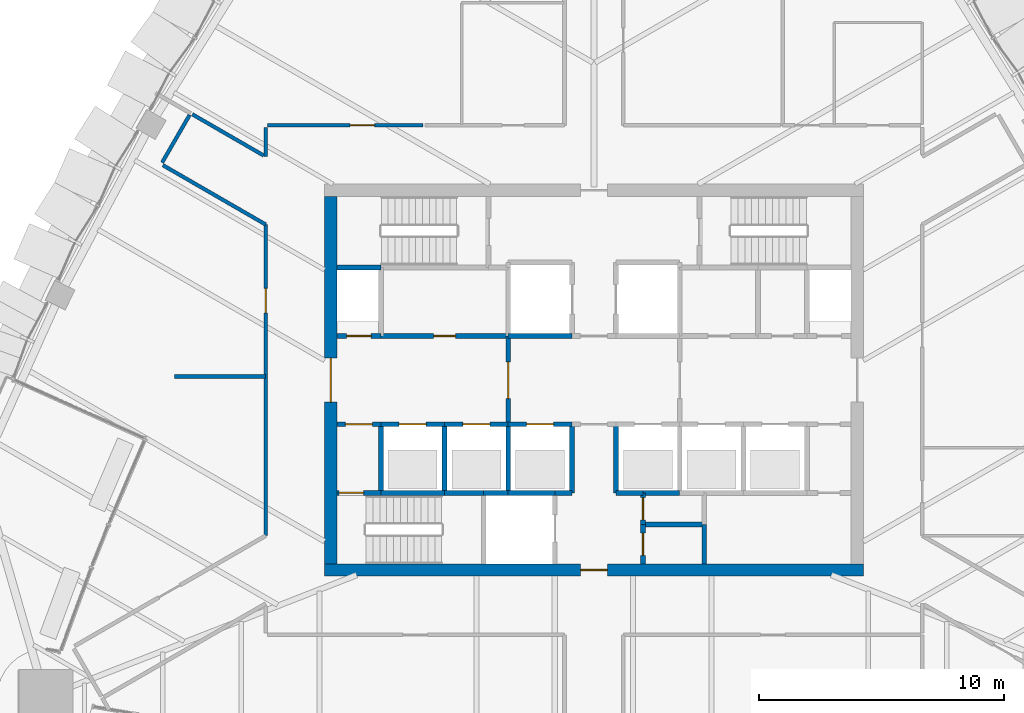
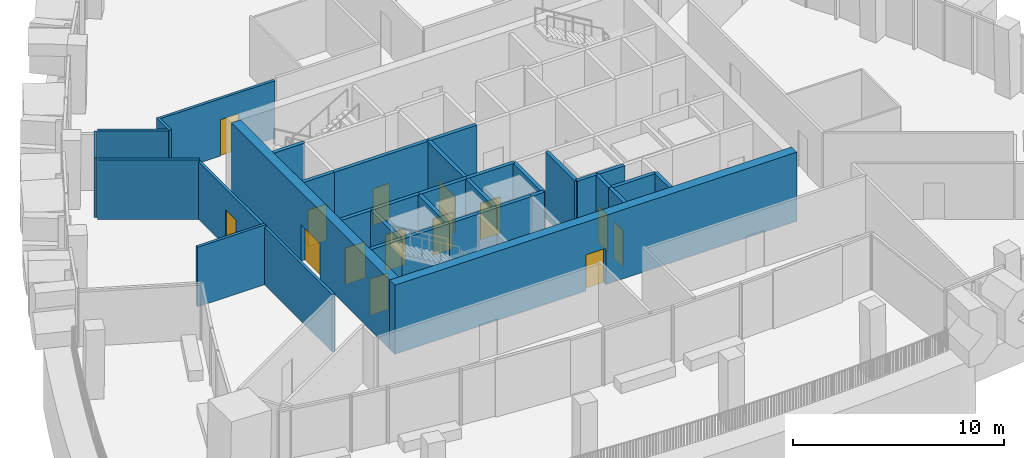
# One storey, part 12 of 22: 35 walls, 14 doors, 14 openings.
"""IFC4 building model written with IfcOpenShell, lengths in metres."""

from ifc_helpers import new_model, si_unit, direction, frame, frame_2d, origin, place, context, subcontext, project, spatial, rectangle, extrude, material, layer, layer_set, type_object, element, fill, save


model = new_model("IFC4")

# Units and contexts
model_context = context("Model", 3, precision=1e-05, world=origin(), true_north=direction((0.0, 1.0)))
body_context = subcontext(model_context, "Body", "Model", "MODEL_VIEW")
ifc_project = project(units=[si_unit("LENGTHUNIT", "METRE"), si_unit("AREAUNIT", "SQUARE_METRE"), si_unit("VOLUMEUNIT", "CUBIC_METRE"), si_unit("PLANEANGLEUNIT", "RADIAN"), si_unit("MASSUNIT", "GRAM", prefix="KILO")], contexts=[model_context])

# Site, building, storey
site_placement = place(None, origin())
site = spatial("IfcSite", under=ifc_project, at=site_placement, CompositionType="ELEMENT")
building_placement = place(site_placement, origin())
building = spatial("IfcBuilding", under=site, at=building_placement, Name="Sierra Prisma Convention Tower", CompositionType="ELEMENT")
storey_placement = place(building_placement, frame((0.0, 0.0, 227.0)))
storey = spatial("IfcBuildingStorey", under=building, at=storey_placement, Name="L50", CompositionType="ELEMENT", Elevation=227.0)

# Wall, opening, door
ifc_material_1 = material(Name="Concrete C30/37", Category="concrete")
ifc_layer_1 = layer(ifc_material_1, 0.199951171875)
ifc_layer_set_1 = layer_set([ifc_layer_1], Name="Core wall RC 200 C30/37")
wall_type_1 = type_object("IfcWallType", Name="Core wall RC 200 C30/37", PredefinedType="SOLIDWALL", material=ifc_layer_set_1)
wall_1_placement = place(storey_placement, frame((-10.5, -4.60009765625, 0.0), z_axis=(0.0, 0.0, 1.0), x_axis=(1.0, 0.0, 0.0)))
wall_1 = element("IfcWall", 1, at=wall_1_placement, inside=storey, type_object=wall_type_1, Name="Core wall L50 1", PredefinedType="SOLIDWALL", context=body_context, shape_type="SweptSolid", body=[
    extrude(rectangle(XDim=1.800048828125, YDim=0.199951171875, at=frame_2d((0.89990234375, 0.0))), origin(), (0.0, 0.0, 1.0), 3.85009765625),
])
opening_1_placement = place(wall_1_placement, frame((0.10009765625, 0.0, 0.0)))
opening_1 = element("IfcOpeningElement", 2, at=opening_1_placement, cuts=wall_1, Name="Opening L50-D019", PredefinedType="OPENING", context=body_context, shape_type="SweptSolid", body=[
    extrude(rectangle(XDim=1.0, YDim=2.10009765625, at=frame_2d((0.5, 1.050048828125))), frame((0.0, 0.10009765625, 0.0), z_axis=(0.0, -1.0, 0.0), x_axis=(1.0, 0.0, 0.0)), (0.0, 0.0, 1.0), 0.199951171875),
])
ifc_material_2 = material(Name="Steel fire door leaf", Category="steel")
door_type_1 = type_object("IfcDoorType", Name="Door 1000x2100 FD90S", OperationType="SINGLE_SWING_LEFT", PredefinedType="DOOR", material=ifc_material_2)
door_1_placement = place(opening_1_placement, origin())
door_1 = element("IfcDoor", 3, at=door_1_placement, inside=storey, type_object=door_type_1, Name="Door L50 31", OperationType="SINGLE_SWING_LEFT", OverallHeight=2.10009765625, OverallWidth=1.0, PredefinedType="DOOR", context=body_context, shape_type="SweptSolid", body=[
    extrude(rectangle(XDim=1.0, YDim=2.10009765625, at=frame_2d((0.5, 1.050048828125))), frame((0.0, 0.02490234375, 0.0), z_axis=(0.0, -1.0, 0.0), x_axis=(1.0, 0.0, 0.0)), (0.0, 0.0, 1.0), 0.050048828125),
])
fill(opening_1, door_1)

wall_2_placement = place(storey_placement, frame((-10.5, -1.800048828125, 0.0), z_axis=(0.0, 0.0, 1.0), x_axis=(1.0, 0.0, 0.0)))
wall_2 = element("IfcWall", 4, at=wall_2_placement, inside=storey, type_object=wall_type_1, Name="Core wall L50 2", PredefinedType="SOLIDWALL", context=body_context, shape_type="SweptSolid", body=[
    extrude(rectangle(XDim=1.800048828125, YDim=0.199951171875, at=frame_2d((0.89990234375, 0.0))), origin(), (0.0, 0.0, 1.0), 3.85009765625),
])
opening_2_placement = place(wall_2_placement, frame((0.35009765625, 0.0, 0.0)))
opening_2 = element("IfcOpeningElement", 5, at=opening_2_placement, cuts=wall_2, Name="Opening L50-D014", PredefinedType="OPENING", context=body_context, shape_type="SweptSolid", body=[
    extrude(rectangle(XDim=1.10009765625, YDim=2.10009765625, at=frame_2d((0.550048828125, 1.050048828125))), frame((0.0, 0.10009765625, 0.0), z_axis=(0.0, -1.0, 0.0), x_axis=(1.0, 0.0, 0.0)), (0.0, 0.0, 1.0), 0.199951171875),
])
ifc_material_3 = material(Name="Steel fire door leaf", Category="steel")
door_type_2 = type_object("IfcDoorType", Name="Door 1100x2100 FD90S", OperationType="SINGLE_SWING_LEFT", PredefinedType="DOOR", material=ifc_material_3)
door_2_placement = place(opening_2_placement, origin())
door_2 = element("IfcDoor", 6, at=door_2_placement, inside=storey, type_object=door_type_2, Name="Door L50 26", OperationType="SINGLE_SWING_LEFT", OverallHeight=2.10009765625, OverallWidth=1.10009765625, PredefinedType="DOOR", context=body_context, shape_type="SweptSolid", body=[
    extrude(rectangle(XDim=1.10009765625, YDim=2.10009765625, at=frame_2d((0.550048828125, 1.050048828125))), frame((0.0, 0.02490234375, 0.0), z_axis=(0.0, -1.0, 0.0), x_axis=(1.0, 0.0, 0.0)), (0.0, 0.0, 1.0), 0.050048828125),
])
fill(opening_2, door_2)

wall_3_placement = place(storey_placement, frame((-8.699951171875, 1.800048828125, 0.0), z_axis=(0.0, 0.0, 1.0), x_axis=(-1.0, 0.0, 0.0)))
wall_3 = element("IfcWall", 7, at=wall_3_placement, inside=storey, type_object=wall_type_1, Name="Core wall L50 3", PredefinedType="SOLIDWALL", context=body_context, shape_type="SweptSolid", body=[
    extrude(rectangle(XDim=1.800048828125, YDim=0.199951171875, at=frame_2d((0.89990234375, 0.0))), origin(), (0.0, 0.0, 1.0), 3.85009765625),
])
opening_3_placement = place(wall_3_placement, frame((0.39990234375, 0.0, 0.0)))
opening_3 = element("IfcOpeningElement", 8, at=opening_3_placement, cuts=wall_3, Name="Opening L50-D017", PredefinedType="OPENING", context=body_context, shape_type="SweptSolid", body=[
    extrude(rectangle(XDim=1.0, YDim=2.10009765625, at=frame_2d((0.5, 1.050048828125))), frame((0.0, 0.10009765625, 0.0), z_axis=(0.0, -1.0, 0.0), x_axis=(1.0, 0.0, 0.0)), (0.0, 0.0, 1.0), 0.199951171875),
])
ifc_material_4 = material(Name="Steel fire door leaf", Category="steel")
door_type_3 = type_object("IfcDoorType", Name="Door 1000x2100 FD60S", OperationType="SINGLE_SWING_LEFT", PredefinedType="DOOR", material=ifc_material_4)
door_3_placement = place(opening_3_placement, origin())
door_3 = element("IfcDoor", 9, at=door_3_placement, inside=storey, type_object=door_type_3, Name="Door L50 29", OperationType="SINGLE_SWING_RIGHT", OverallHeight=2.10009765625, OverallWidth=1.0, PredefinedType="DOOR", context=body_context, shape_type="SweptSolid", body=[
    extrude(rectangle(XDim=1.0, YDim=2.10009765625, at=frame_2d((0.5, 1.050048828125))), frame((0.0, 0.02490234375, 0.0), z_axis=(0.0, -1.0, 0.0), x_axis=(1.0, 0.0, 0.0)), (0.0, 0.0, 1.0), 0.050048828125),
])
fill(opening_3, door_3)

# Walls
wall_4_placement = place(storey_placement, frame((-8.699951171875, 4.60009765625, 0.0), z_axis=(0.0, 0.0, 1.0), x_axis=(-1.0, 0.0, 0.0)))
element("IfcWall", 10, at=wall_4_placement, inside=storey, type_object=wall_type_1, Name="Core wall L50 4", PredefinedType="SOLIDWALL", context=body_context, shape_type="SweptSolid", body=[
    extrude(rectangle(XDim=1.800048828125, YDim=0.199951171875, at=frame_2d((0.89990234375, 0.0))), origin(), (0.0, 0.0, 1.0), 3.85009765625),
])
wall_5_placement = place(storey_placement, frame((-8.699951171875, -4.60009765625, 0.0), z_axis=(0.0, 0.0, 1.0), x_axis=(1.0, 0.0, 0.0)))
element("IfcWall", 11, at=wall_5_placement, inside=storey, type_object=wall_type_1, Name="Core wall L50 5", PredefinedType="SOLIDWALL", context=body_context, shape_type="SweptSolid", body=[
    extrude(rectangle(XDim=2.599853515625, YDim=0.199951171875, at=frame_2d((1.2998046875, 0.0))), origin(), (0.0, 0.0, 1.0), 3.85009765625),
])
wall_6_placement = place(storey_placement, frame((-8.699951171875, -4.60009765625, 0.0), z_axis=(0.0, 0.0, 1.0), x_axis=(0.0, 1.0, 0.0)))
element("IfcWall", 12, at=wall_6_placement, inside=storey, type_object=wall_type_1, Name="Core wall L50 6", PredefinedType="SOLIDWALL", context=body_context, shape_type="SweptSolid", body=[
    extrude(rectangle(XDim=2.800048828125, YDim=0.199951171875, at=frame_2d((1.39990234375, 0.0))), origin(), (0.0, 0.0, 1.0), 3.85009765625),
])

# Wall, opening, door
wall_7_placement = place(storey_placement, frame((-8.699951171875, -1.800048828125, 0.0), z_axis=(0.0, 0.0, 1.0), x_axis=(1.0, 0.0, 0.0)))
wall_7 = element("IfcWall", 13, at=wall_7_placement, inside=storey, type_object=wall_type_1, Name="Core wall L50 7", PredefinedType="SOLIDWALL", context=body_context, shape_type="SweptSolid", body=[
    extrude(rectangle(XDim=2.599853515625, YDim=0.199951171875, at=frame_2d((1.2998046875, 0.0))), origin(), (0.0, 0.0, 1.0), 3.85009765625),
])
opening_4_placement = place(wall_7_placement, frame((0.75, 0.0, 0.0)))
opening_4 = element("IfcOpeningElement", 14, at=opening_4_placement, cuts=wall_7, Name="Opening L50-D003", PredefinedType="OPENING", context=body_context, shape_type="SweptSolid", body=[
    extrude(rectangle(XDim=1.10009765625, YDim=2.10009765625, at=frame_2d((0.550048828125, 1.050048828125))), frame((0.0, 0.10009765625, 0.0), z_axis=(0.0, -1.0, 0.0), x_axis=(1.0, 0.0, 0.0)), (0.0, 0.0, 1.0), 0.199951171875),
])
ifc_material_5 = material(Name="Steel fire door leaf", Category="steel")
door_type_4 = type_object("IfcDoorType", Name="Door 1100x2100 EI 90 sliding lift landing", OperationType="SLIDING_TO_LEFT", PredefinedType="DOOR", material=ifc_material_5)
door_4_placement = place(opening_4_placement, origin())
door_4 = element("IfcDoor", 15, at=door_4_placement, inside=storey, type_object=door_type_4, Name="Door L50 15", OperationType="SLIDING_TO_LEFT", OverallHeight=2.10009765625, OverallWidth=1.10009765625, PredefinedType="DOOR", context=body_context, shape_type="SweptSolid", body=[
    extrude(rectangle(XDim=1.10009765625, YDim=2.10009765625, at=frame_2d((0.550048828125, 1.050048828125))), frame((0.0, 0.02490234375, 0.0), z_axis=(0.0, -1.0, 0.0), x_axis=(1.0, 0.0, 0.0)), (0.0, 0.0, 1.0), 0.050048828125),
])
fill(opening_4, door_4)

wall_8_placement = place(storey_placement, frame((-8.699951171875, 1.800048828125, 0.0), z_axis=(0.0, 0.0, 1.0), x_axis=(1.0, 0.0, 0.0)))
wall_8 = element("IfcWall", 16, at=wall_8_placement, inside=storey, type_object=wall_type_1, Name="Core wall L50 8", PredefinedType="SOLIDWALL", context=body_context, shape_type="SweptSolid", body=[
    extrude(rectangle(XDim=5.199951171875, YDim=0.199951171875, at=frame_2d((2.60009765625, 0.0))), origin(), (0.0, 0.0, 1.0), 3.85009765625),
])
opening_5_placement = place(wall_8_placement, frame((2.14990234375, 0.0, 0.0)))
opening_5 = element("IfcOpeningElement", 17, at=opening_5_placement, cuts=wall_8, Name="Opening L50-D024", PredefinedType="OPENING", context=body_context, shape_type="SweptSolid", body=[
    extrude(rectangle(XDim=0.89990234375, YDim=2.10009765625, at=frame_2d((0.449951171875, 1.050048828125))), frame((0.0, 0.10009765625, 0.0), z_axis=(0.0, -1.0, 0.0), x_axis=(1.0, 0.0, 0.0)), (0.0, 0.0, 1.0), 0.199951171875),
])
ifc_material_6 = material(Name="Steel fire door leaf", Category="steel")
door_type_5 = type_object("IfcDoorType", Name="Door 900x2100 FD30S", OperationType="SINGLE_SWING_LEFT", PredefinedType="DOOR", material=ifc_material_6)
door_5_placement = place(opening_5_placement, origin())
door_5 = element("IfcDoor", 18, at=door_5_placement, inside=storey, type_object=door_type_5, Name="Door L50 36", OperationType="SINGLE_SWING_LEFT", OverallHeight=2.10009765625, OverallWidth=0.89990234375, PredefinedType="DOOR", context=body_context, shape_type="SweptSolid", body=[
    extrude(rectangle(XDim=0.89990234375, YDim=2.10009765625, at=frame_2d((0.449951171875, 1.050048828125))), frame((0.0, 0.02490234375, 0.0), z_axis=(0.0, -1.0, 0.0), x_axis=(1.0, 0.0, 0.0)), (0.0, 0.0, 1.0), 0.050048828125),
])
fill(opening_5, door_5)

# Walls
wall_9_placement = place(storey_placement, frame((-6.10009765625, -4.60009765625, 0.0), z_axis=(0.0, 0.0, 1.0), x_axis=(1.0, 0.0, 0.0)))
element("IfcWall", 19, at=wall_9_placement, inside=storey, type_object=wall_type_1, Name="Core wall L50 11", PredefinedType="SOLIDWALL", context=body_context, shape_type="SweptSolid", body=[
    extrude(rectangle(XDim=1.60009765625, YDim=0.199951171875, at=frame_2d((0.800048828125, 0.0))), origin(), (0.0, 0.0, 1.0), 3.85009765625),
])
wall_10_placement = place(storey_placement, frame((-6.10009765625, -4.60009765625, 0.0), z_axis=(0.0, 0.0, 1.0), x_axis=(0.0, 1.0, 0.0)))
element("IfcWall", 20, at=wall_10_placement, inside=storey, type_object=wall_type_1, Name="Core wall L50 12", PredefinedType="SOLIDWALL", context=body_context, shape_type="SweptSolid", body=[
    extrude(rectangle(XDim=2.800048828125, YDim=0.199951171875, at=frame_2d((1.39990234375, 0.0))), origin(), (0.0, 0.0, 1.0), 3.85009765625),
])

# Wall, opening, door
wall_11_placement = place(storey_placement, frame((-6.10009765625, -1.800048828125, 0.0), z_axis=(0.0, 0.0, 1.0), x_axis=(1.0, 0.0, 0.0)))
wall_11 = element("IfcWall", 21, at=wall_11_placement, inside=storey, type_object=wall_type_1, Name="Core wall L50 13", PredefinedType="SOLIDWALL", context=body_context, shape_type="SweptSolid", body=[
    extrude(rectangle(XDim=2.60009765625, YDim=0.199951171875, at=frame_2d((1.300048828125, 0.0))), origin(), (0.0, 0.0, 1.0), 3.85009765625),
])
opening_6_placement = place(wall_11_placement, frame((0.75, 0.0, 0.0)))
opening_6 = element("IfcOpeningElement", 22, at=opening_6_placement, cuts=wall_11, Name="Opening L50-D004", PredefinedType="OPENING", context=body_context, shape_type="SweptSolid", body=[
    extrude(rectangle(XDim=1.10009765625, YDim=2.10009765625, at=frame_2d((0.550048828125, 1.050048828125))), frame((0.0, 0.10009765625, 0.0), z_axis=(0.0, -1.0, 0.0), x_axis=(1.0, 0.0, 0.0)), (0.0, 0.0, 1.0), 0.199951171875),
])
door_6_placement = place(opening_6_placement, origin())
door_6 = element("IfcDoor", 23, at=door_6_placement, inside=storey, type_object=door_type_4, Name="Door L50 16", OperationType="SLIDING_TO_RIGHT", OverallHeight=2.10009765625, OverallWidth=1.10009765625, PredefinedType="DOOR", context=body_context, shape_type="SweptSolid", body=[
    extrude(rectangle(XDim=1.10009765625, YDim=2.10009765625, at=frame_2d((0.550048828125, 1.050048828125))), frame((0.0, 0.02490234375, 0.0), z_axis=(0.0, -1.0, 0.0), x_axis=(1.0, 0.0, 0.0)), (0.0, 0.0, 1.0), 0.050048828125),
])
fill(opening_6, door_6)

# Walls
wall_12_placement = place(storey_placement, frame((-4.5, -4.60009765625, 0.0), z_axis=(0.0, 0.0, 1.0), x_axis=(1.0, 0.0, 0.0)))
element("IfcWall", 24, at=wall_12_placement, inside=storey, type_object=wall_type_1, Name="Core wall L50 15", PredefinedType="SOLIDWALL", context=body_context, shape_type="SweptSolid", body=[
    extrude(rectangle(XDim=1.0, YDim=0.199951171875, at=frame_2d((0.5, 0.0))), origin(), (0.0, 0.0, 1.0), 3.85009765625),
])
wall_13_placement = place(storey_placement, frame((-3.5, -4.60009765625, 0.0), z_axis=(0.0, 0.0, 1.0), x_axis=(1.0, 0.0, 0.0)))
element("IfcWall", 25, at=wall_13_placement, inside=storey, type_object=wall_type_1, Name="Core wall L50 18", PredefinedType="SOLIDWALL", context=body_context, shape_type="SweptSolid", body=[
    extrude(rectangle(XDim=1.89990234375, YDim=0.199951171875, at=frame_2d((0.949951171875, 0.0))), origin(), (0.0, 0.0, 1.0), 3.85009765625),
])
wall_14_placement = place(storey_placement, frame((-3.5, -4.60009765625, 0.0), z_axis=(0.0, 0.0, 1.0), x_axis=(0.0, 1.0, 0.0)))
element("IfcWall", 26, at=wall_14_placement, inside=storey, type_object=wall_type_1, Name="Core wall L50 19", PredefinedType="SOLIDWALL", context=body_context, shape_type="SweptSolid", body=[
    extrude(rectangle(XDim=2.800048828125, YDim=0.199951171875, at=frame_2d((1.39990234375, 0.0))), origin(), (0.0, 0.0, 1.0), 3.85009765625),
])

# Wall, opening, door
wall_15_placement = place(storey_placement, frame((-3.5, -1.800048828125, 0.0), z_axis=(0.0, 0.0, 1.0), x_axis=(1.0, 0.0, 0.0)))
wall_15 = element("IfcWall", 27, at=wall_15_placement, inside=storey, type_object=wall_type_1, Name="Core wall L50 20", PredefinedType="SOLIDWALL", context=body_context, shape_type="SweptSolid", body=[
    extrude(rectangle(XDim=2.60009765625, YDim=0.199951171875, at=frame_2d((1.300048828125, 0.0))), origin(), (0.0, 0.0, 1.0), 3.85009765625),
])
opening_7_placement = place(wall_15_placement, frame((0.75, 0.0, 0.0)))
opening_7 = element("IfcOpeningElement", 28, at=opening_7_placement, cuts=wall_15, Name="Opening L50-D005", PredefinedType="OPENING", context=body_context, shape_type="SweptSolid", body=[
    extrude(rectangle(XDim=1.10009765625, YDim=2.10009765625, at=frame_2d((0.550048828125, 1.050048828125))), frame((0.0, 0.10009765625, 0.0), z_axis=(0.0, -1.0, 0.0), x_axis=(1.0, 0.0, 0.0)), (0.0, 0.0, 1.0), 0.199951171875),
])
door_7_placement = place(opening_7_placement, origin())
door_7 = element("IfcDoor", 29, at=door_7_placement, inside=storey, type_object=door_type_4, Name="Door L50 17", OperationType="SLIDING_TO_RIGHT", OverallHeight=2.10009765625, OverallWidth=1.10009765625, PredefinedType="DOOR", context=body_context, shape_type="SweptSolid", body=[
    extrude(rectangle(XDim=1.10009765625, YDim=2.10009765625, at=frame_2d((0.550048828125, 1.050048828125))), frame((0.0, 0.02490234375, 0.0), z_axis=(0.0, -1.0, 0.0), x_axis=(1.0, 0.0, 0.0)), (0.0, 0.0, 1.0), 0.050048828125),
])
fill(opening_7, door_7)

wall_16_placement = place(storey_placement, frame((-3.5, 1.800048828125, 0.0), z_axis=(0.0, 0.0, 1.0), x_axis=(0.0, -1.0, 0.0)))
wall_16 = element("IfcWall", 30, at=wall_16_placement, inside=storey, type_object=wall_type_1, Name="Core wall L50 21", PredefinedType="SOLIDWALL", context=body_context, shape_type="SweptSolid", body=[
    extrude(rectangle(XDim=3.60009765625, YDim=0.199951171875, at=frame_2d((1.800048828125, 0.0))), origin(), (0.0, 0.0, 1.0), 3.85009765625),
])
opening_8_placement = place(wall_16_placement, frame((1.050048828125, 0.0, 0.0)))
opening_8 = element("IfcOpeningElement", 31, at=opening_8_placement, cuts=wall_16, Name="Opening L50-D012", PredefinedType="OPENING", context=body_context, shape_type="SweptSolid", body=[
    extrude(rectangle(XDim=1.5, YDim=2.10009765625, at=frame_2d((0.75, 1.050048828125))), frame((0.0, 0.10009765625, 0.0), z_axis=(0.0, -1.0, 0.0), x_axis=(1.0, 0.0, 0.0)), (0.0, 0.0, 1.0), 0.199951171875),
])
ifc_material_7 = material(Name="Steel fire door leaf", Category="steel")
door_type_6 = type_object("IfcDoorType", Name="Door 1500x2100 FD30S", OperationType="DOUBLE_DOOR_SINGLE_SWING", PredefinedType="DOOR", material=ifc_material_7)
door_8_placement = place(opening_8_placement, origin())
door_8 = element("IfcDoor", 32, at=door_8_placement, inside=storey, type_object=door_type_6, Name="Door L50 24", OperationType="DOUBLE_DOOR_SINGLE_SWING", OverallHeight=2.10009765625, OverallWidth=1.5, PredefinedType="DOOR", context=body_context, shape_type="SweptSolid", body=[
    extrude(rectangle(XDim=1.5, YDim=2.10009765625, at=frame_2d((0.75, 1.050048828125))), frame((0.0, 0.02490234375, 0.0), z_axis=(0.0, -1.0, 0.0), x_axis=(1.0, 0.0, 0.0)), (0.0, 0.0, 1.0), 0.050048828125),
])
fill(opening_8, door_8)

# Walls
wall_17_placement = place(storey_placement, frame((-0.89990234375, 1.800048828125, 0.0), z_axis=(0.0, 0.0, 1.0), x_axis=(-1.0, 0.0, 0.0)))
element("IfcWall", 33, at=wall_17_placement, inside=storey, type_object=wall_type_1, Name="Core wall L50 22", PredefinedType="SOLIDWALL", context=body_context, shape_type="SweptSolid", body=[
    extrude(rectangle(XDim=2.60009765625, YDim=0.199951171875, at=frame_2d((1.300048828125, 0.0))), origin(), (0.0, 0.0, 1.0), 3.85009765625),
])
wall_18_placement = place(storey_placement, frame((-1.60009765625, -4.60009765625, 0.0), z_axis=(0.0, 0.0, 1.0), x_axis=(1.0, 0.0, 0.0)))
element("IfcWall", 34, at=wall_18_placement, inside=storey, type_object=wall_type_1, Name="Core wall L50 28", PredefinedType="SOLIDWALL", context=body_context, shape_type="SweptSolid", body=[
    extrude(rectangle(XDim=0.7001953125, YDim=0.199951171875, at=frame_2d((0.35009765625, 0.0))), origin(), (0.0, 0.0, 1.0), 3.85009765625),
])
for number, where, z_axis, x_axis, name in (
    (35, (-0.89990234375, -4.60009765625, 0.0), (0.0, 0.0, 1.0), (0.0, 1.0, 0.0), "Core wall L50 29"),
    (36, (0.89990234375, -1.800048828125, 0.0), (0.0, 0.0, 1.0), (0.0, -1.0, 0.0), "Core wall L50 33"),
):
    element("IfcWall", number, at=place(storey_placement, frame(where, z_axis=z_axis, x_axis=x_axis)), inside=storey, type_object=wall_type_1, Name=name, PredefinedType="SOLIDWALL", context=body_context, shape_type="SweptSolid", body=[
        extrude(rectangle(XDim=2.800048828125, YDim=0.199951171875, at=frame_2d((1.39990234375, 0.0))), origin(), (0.0, 0.0, 1.0), 3.85009765625),
    ])
wall_19_placement = place(storey_placement, frame((0.89990234375, -4.60009765625, 0.0), z_axis=(0.0, 0.0, 1.0), x_axis=(1.0, 0.0, 0.0)))
element("IfcWall", 37, at=wall_19_placement, inside=storey, type_object=wall_type_1, Name="Core wall L50 34", PredefinedType="SOLIDWALL", context=body_context, shape_type="SweptSolid", body=[
    extrude(rectangle(XDim=1.10009765625, YDim=0.199951171875, at=frame_2d((0.550048828125, 0.0))), origin(), (0.0, 0.0, 1.0), 3.85009765625),
])

# Wall, opening, door
wall_20_placement = place(storey_placement, frame((2.0, -5.89990234375, 0.0), z_axis=(0.0, 0.0, 1.0), x_axis=(0.0, -1.0, 0.0)))
wall_20 = element("IfcWall", 38, at=wall_20_placement, inside=storey, type_object=wall_type_1, Name="Core wall L50 39", PredefinedType="SOLIDWALL", context=body_context, shape_type="SweptSolid", body=[
    extrude(rectangle(XDim=1.60009765625, YDim=0.199951171875, at=frame_2d((0.800048828125, 0.0))), origin(), (0.0, 0.0, 1.0), 3.85009765625),
])
opening_9_placement = place(wall_20_placement, frame((0.35009765625, 0.0, 0.0)))
opening_9 = element("IfcOpeningElement", 39, at=opening_9_placement, cuts=wall_20, Name="Opening L50-D027", PredefinedType="OPENING", context=body_context, shape_type="SweptSolid", body=[
    extrude(rectangle(XDim=0.89990234375, YDim=2.10009765625, at=frame_2d((0.449951171875, 1.050048828125))), frame((0.0, 0.10009765625, 0.0), z_axis=(0.0, -1.0, 0.0), x_axis=(1.0, 0.0, 0.0)), (0.0, 0.0, 1.0), 0.199951171875),
])
door_9_placement = place(opening_9_placement, origin())
door_9 = element("IfcDoor", 40, at=door_9_placement, inside=storey, type_object=door_type_5, Name="Door L50 39", OperationType="SINGLE_SWING_LEFT", OverallHeight=2.10009765625, OverallWidth=0.89990234375, PredefinedType="DOOR", context=body_context, shape_type="SweptSolid", body=[
    extrude(rectangle(XDim=0.89990234375, YDim=2.10009765625, at=frame_2d((0.449951171875, 1.050048828125))), frame((0.0, 0.02490234375, 0.0), z_axis=(0.0, -1.0, 0.0), x_axis=(1.0, 0.0, 0.0)), (0.0, 0.0, 1.0), 0.050048828125),
])
fill(opening_9, door_9)

# Wall
wall_21_placement = place(storey_placement, frame((4.5, -5.89990234375, 0.0), z_axis=(0.0, 0.0, 1.0), x_axis=(-1.0, 0.0, 0.0)))
element("IfcWall", 41, at=wall_21_placement, inside=storey, type_object=wall_type_1, Name="Core wall L50 40", PredefinedType="SOLIDWALL", context=body_context, shape_type="SweptSolid", body=[
    extrude(rectangle(XDim=2.5, YDim=0.199951171875, at=frame_2d((1.25, 0.0))), origin(), (0.0, 0.0, 1.0), 3.85009765625),
])

# Wall, opening, door
wall_22_placement = place(storey_placement, frame((2.0, -4.60009765625, 0.0), z_axis=(0.0, 0.0, 1.0), x_axis=(0.0, -1.0, 0.0)))
wall_22 = element("IfcWall", 42, at=wall_22_placement, inside=storey, type_object=wall_type_1, Name="Core wall L50 41", PredefinedType="SOLIDWALL", context=body_context, shape_type="SweptSolid", body=[
    extrude(rectangle(XDim=1.2998046875, YDim=0.199951171875, at=frame_2d((0.64990234375, 0.0))), origin(), (0.0, 0.0, 1.0), 3.85009765625),
])
opening_10_placement = place(wall_22_placement, frame((0.199951171875, 0.0, 0.0)))
opening_10 = element("IfcOpeningElement", 43, at=opening_10_placement, cuts=wall_22, Name="Opening L50-D028", PredefinedType="OPENING", context=body_context, shape_type="SweptSolid", body=[
    extrude(rectangle(XDim=0.89990234375, YDim=2.10009765625, at=frame_2d((0.449951171875, 1.050048828125))), frame((0.0, 0.10009765625, 0.0), z_axis=(0.0, -1.0, 0.0), x_axis=(1.0, 0.0, 0.0)), (0.0, 0.0, 1.0), 0.199951171875),
])
door_10_placement = place(opening_10_placement, origin())
door_10 = element("IfcDoor", 44, at=door_10_placement, inside=storey, type_object=door_type_5, Name="Door L50 40", OperationType="SINGLE_SWING_LEFT", OverallHeight=2.10009765625, OverallWidth=0.89990234375, PredefinedType="DOOR", context=body_context, shape_type="SweptSolid", body=[
    extrude(rectangle(XDim=0.89990234375, YDim=2.10009765625, at=frame_2d((0.449951171875, 1.050048828125))), frame((0.0, 0.02490234375, 0.0), z_axis=(0.0, -1.0, 0.0), x_axis=(1.0, 0.0, 0.0)), (0.0, 0.0, 1.0), 0.050048828125),
])
fill(opening_10, door_10)

# Walls
wall_23_placement = place(storey_placement, frame((3.5, -4.60009765625, 0.0), z_axis=(0.0, 0.0, 1.0), x_axis=(-1.0, 0.0, 0.0)))
element("IfcWall", 45, at=wall_23_placement, inside=storey, type_object=wall_type_1, Name="Core wall L50 42", PredefinedType="SOLIDWALL", context=body_context, shape_type="SweptSolid", body=[
    extrude(rectangle(XDim=1.5, YDim=0.199951171875, at=frame_2d((0.75, 0.0))), origin(), (0.0, 0.0, 1.0), 3.85009765625),
])
wall_24_placement = place(storey_placement, frame((4.5, -5.89990234375, 0.0), z_axis=(0.0, 0.0, 1.0), x_axis=(0.0, -1.0, 0.0)))
element("IfcWall", 46, at=wall_24_placement, inside=storey, type_object=wall_type_1, Name="Core wall L50 52", PredefinedType="SOLIDWALL", context=body_context, shape_type="SweptSolid", body=[
    extrude(rectangle(XDim=1.60009765625, YDim=0.199951171875, at=frame_2d((0.800048828125, 0.0))), origin(), (0.0, 0.0, 1.0), 3.85009765625),
])

# Wall, opening, door
ifc_material_8 = material(Name="Concrete C50/60", Category="concrete")
ifc_layer_2 = layer(ifc_material_8, 0.5)
ifc_layer_set_2 = layer_set([ifc_layer_2], Name="Core wall RC 500 C50/60")
wall_type_2 = type_object("IfcWallType", Name="Core wall RC 500 C50/60", PredefinedType="SHEAR", material=ifc_layer_set_2)
wall_25_placement = place(storey_placement, frame((-11.0, -7.75, 0.0), z_axis=(0.0, 0.0, 1.0), x_axis=(1.0, 0.0, 0.0)))
wall_25 = element("IfcWall", 47, at=wall_25_placement, inside=storey, type_object=wall_type_2, Name="Core wall S L50", PredefinedType="SHEAR", context=body_context, shape_type="SweptSolid", body=[
    extrude(rectangle(XDim=22.0, YDim=0.5, at=frame_2d((11.0, 0.0))), origin(), (0.0, 0.0, 1.0), 4.0),
])
opening_11_placement = place(wall_25_placement, frame((10.449951171875, 0.0, 0.0)))
opening_11 = element("IfcOpeningElement", 48, at=opening_11_placement, cuts=wall_25, Name="Opening L50-D045", PredefinedType="OPENING", context=body_context, shape_type="SweptSolid", body=[
    extrude(rectangle(XDim=1.10009765625, YDim=2.10009765625, at=frame_2d((0.550048828125, 1.050048828125))), frame((0.0, 0.25, 0.0), z_axis=(0.0, -1.0, 0.0), x_axis=(1.0, 0.0, 0.0)), (0.0, 0.0, 1.0), 0.5),
])
ifc_material_9 = material(Name="Steel fire door leaf", Category="steel")
door_type_7 = type_object("IfcDoorType", Name="Door 1100x2100 FD30S", OperationType="SINGLE_SWING_LEFT", PredefinedType="DOOR", material=ifc_material_9)
door_11_placement = place(opening_11_placement, origin())
door_11 = element("IfcDoor", 49, at=door_11_placement, inside=storey, type_object=door_type_7, Name="Door L50 44", OperationType="SINGLE_SWING_RIGHT", OverallHeight=2.10009765625, OverallWidth=1.10009765625, PredefinedType="DOOR", context=body_context, shape_type="SweptSolid", body=[
    extrude(rectangle(XDim=1.10009765625, YDim=2.10009765625, at=frame_2d((0.550048828125, 1.050048828125))), frame((0.0, 0.02490234375, 0.0), z_axis=(0.0, -1.0, 0.0), x_axis=(1.0, 0.0, 0.0)), (0.0, 0.0, 1.0), 0.050048828125),
])
fill(opening_11, door_11)

wall_26_placement = place(storey_placement, frame((-10.75, -7.5, 0.0), z_axis=(0.0, 0.0, 1.0), x_axis=(0.0, 1.0, 0.0)))
wall_26 = element("IfcWall", 50, at=wall_26_placement, inside=storey, type_object=wall_type_2, Name="Core wall W L50", PredefinedType="SHEAR", context=body_context, shape_type="SweptSolid", body=[
    extrude(rectangle(XDim=15.0, YDim=0.5, at=frame_2d((7.5, 0.0))), origin(), (0.0, 0.0, 1.0), 4.0),
])
opening_12_placement = place(wall_26_placement, frame((6.60009765625, 0.0, 0.0)))
opening_12 = element("IfcOpeningElement", 51, at=opening_12_placement, cuts=wall_26, Name="Opening L50-D046", PredefinedType="OPENING", context=body_context, shape_type="SweptSolid", body=[
    extrude(rectangle(XDim=1.800048828125, YDim=2.10009765625, at=frame_2d((0.89990234375, 1.050048828125))), frame((0.0, 0.25, 0.0), z_axis=(0.0, -1.0, 0.0), x_axis=(1.0, 0.0, 0.0)), (0.0, 0.0, 1.0), 0.5),
])
ifc_material_10 = material(Name="Steel fire door leaf", Category="steel")
door_type_8 = type_object("IfcDoorType", Name="Door 1800x2100 FD60S", OperationType="DOUBLE_DOOR_SINGLE_SWING", PredefinedType="DOOR", material=ifc_material_10)
door_12_placement = place(opening_12_placement, origin())
door_12 = element("IfcDoor", 52, at=door_12_placement, inside=storey, type_object=door_type_8, Name="Door L50 41", OperationType="DOUBLE_DOOR_SINGLE_SWING", OverallHeight=2.10009765625, OverallWidth=1.800048828125, PredefinedType="DOOR", context=body_context, shape_type="SweptSolid", body=[
    extrude(rectangle(XDim=1.800048828125, YDim=2.10009765625, at=frame_2d((0.89990234375, 1.050048828125))), frame((0.0, 0.02490234375, 0.0), z_axis=(0.0, -1.0, 0.0), x_axis=(1.0, 0.0, 0.0)), (0.0, 0.0, 1.0), 0.050048828125),
])
fill(opening_12, door_12)

# Wall
ifc_material_11 = material(Name="Gypsum board partition", Category="gypsum")
ifc_layer_3 = layer(ifc_material_11, 0.14990234375)
ifc_layer_set_3 = layer_set([ifc_layer_3], Name="Corridor wall 150 gypsum EI 60")
wall_type_3 = type_object("IfcWallType", Name="Corridor wall 150 gypsum EI 60", PredefinedType="PARTITIONING", material=ifc_layer_set_3)
wall_27_placement = place(storey_placement, frame((-17.598876953125, 8.775146484375, 0.0), z_axis=(0.0, 0.0, 1.0), x_axis=(0.866022073929, -0.500005767435, 0.0)))
element("IfcWall", 53, at=wall_27_placement, inside=storey, type_object=wall_type_3, Name="Partition L50 corr 2", PredefinedType="PARTITIONING", context=body_context, shape_type="SweptSolid", body=[
    extrude(rectangle(XDim=4.8486328125, YDim=0.14990234375, at=frame_2d((2.42431640625, 0.0))), origin(), (0.0, 0.0, 1.0), 3.449951171875),
])

# Wall, opening, door
wall_28_placement = place(storey_placement, frame((-13.39990234375, 6.350830078125, 0.0), z_axis=(0.0, 0.0, 1.0), x_axis=(0.0, -1.0, 0.0)))
wall_28 = element("IfcWall", 54, at=wall_28_placement, inside=storey, type_object=wall_type_3, Name="Partition L50 corr 3", PredefinedType="PARTITIONING", context=body_context, shape_type="SweptSolid", body=[
    extrude(rectangle(XDim=12.70166015625, YDim=0.14990234375, at=frame_2d((6.350830078125, 0.0))), origin(), (0.0, 0.0, 1.0), 3.31689453125),
])
opening_13_placement = place(wall_28_placement, frame((2.600830078125, 0.0, 0.0)))
opening_13 = element("IfcOpeningElement", 55, at=opening_13_placement, cuts=wall_28, Name="Opening L50-D036", PredefinedType="OPENING", context=body_context, shape_type="SweptSolid", body=[
    extrude(rectangle(XDim=1.0, YDim=2.10009765625, at=frame_2d((0.5, 1.050048828125))), frame((0.0, 0.074951171875, 0.0), z_axis=(0.0, -1.0, 0.0), x_axis=(1.0, 0.0, 0.0)), (0.0, 0.0, 1.0), 0.14990234375),
])
ifc_material_12 = material(Name="Steel fire door leaf", Category="steel")
door_type_9 = type_object("IfcDoorType", Name="Door 1000x2100 FD30S", OperationType="SINGLE_SWING_LEFT", PredefinedType="DOOR", material=ifc_material_12)
door_13_placement = place(opening_13_placement, origin())
door_13 = element("IfcDoor", 56, at=door_13_placement, inside=storey, type_object=door_type_9, Name="Door L50 8", OperationType="SINGLE_SWING_LEFT", OverallHeight=2.10009765625, OverallWidth=1.0, PredefinedType="DOOR", context=body_context, shape_type="SweptSolid", body=[
    extrude(rectangle(XDim=1.0, YDim=2.10009765625, at=frame_2d((0.5, 1.050048828125))), frame((0.0, 0.02490234375, 0.0), z_axis=(0.0, -1.0, 0.0), x_axis=(1.0, 0.0, 0.0)), (0.0, 0.0, 1.0), 0.050048828125),
])
fill(opening_13, door_13)

# Walls
wall_29_placement = place(storey_placement, frame((-16.508056640625, 10.82421875, 0.0), z_axis=(0.0, 0.0, 1.0), x_axis=(-0.500030632641, -0.866007717299, 0.0)))
element("IfcWall", 57, at=wall_29_placement, inside=storey, type_object=wall_type_3, Name="Partition L50 corr 7", PredefinedType="PARTITIONING", context=body_context, shape_type="SweptSolid", body=[
    extrude(rectangle(XDim=2.239990234375, YDim=0.14990234375, at=frame_2d((1.1201171875, 0.0))), origin(), (0.0, 0.0, 1.0), 3.449951171875),
])
wall_30_placement = place(storey_placement, frame((-13.39990234375, 10.320068359375, 0.0), z_axis=(0.0, 0.0, 1.0), x_axis=(0.0, -1.0, 0.0)))
element("IfcWall", 58, at=wall_30_placement, inside=storey, type_object=wall_type_3, Name="Partition L50 corr 8", PredefinedType="PARTITIONING", context=body_context, shape_type="SweptSolid", body=[
    extrude(rectangle(XDim=1.197998046875, YDim=0.14990234375, at=frame_2d((0.59912109375, 0.0))), origin(), (0.0, 0.0, 1.0), 3.449951171875),
])
wall_31_placement = place(storey_placement, frame((-13.479248046875, 9.16796875, 0.0), z_axis=(0.0, 0.0, 1.0), x_axis=(-0.866023977509, 0.500002470373, 0.0)))
element("IfcWall", 59, at=wall_31_placement, inside=storey, type_object=wall_type_3, Name="Partition L50 corr 9", PredefinedType="PARTITIONING", context=body_context, shape_type="SweptSolid", body=[
    extrude(rectangle(XDim=3.37109375, YDim=0.14990234375, at=frame_2d((1.685546875, 0.0))), origin(), (0.0, 0.0, 1.0), 3.449951171875),
])

# Wall, opening, door
wall_32_placement = place(storey_placement, frame((-6.97998046875, 10.39990234375, 0.0), z_axis=(0.0, 0.0, 1.0), x_axis=(-1.0, 0.0, 0.0)))
wall_32 = element("IfcWall", 60, at=wall_32_placement, inside=storey, type_object=wall_type_3, Name="Partition L50 corr 12", PredefinedType="PARTITIONING", context=body_context, shape_type="SweptSolid", body=[
    extrude(rectangle(XDim=6.340087890625, YDim=0.14990234375, at=frame_2d((3.169921875, 0.0))), origin(), (0.0, 0.0, 1.0), 3.31689453125),
])
opening_14_placement = place(wall_32_placement, frame((1.969970703125, 0.0, 0.0)))
opening_14 = element("IfcOpeningElement", 61, at=opening_14_placement, cuts=wall_32, Name="Opening L50-D035", PredefinedType="OPENING", context=body_context, shape_type="SweptSolid", body=[
    extrude(rectangle(XDim=1.0, YDim=2.10009765625, at=frame_2d((0.5, 1.050048828125))), frame((0.0, 0.074951171875, 0.0), z_axis=(0.0, -1.0, 0.0), x_axis=(1.0, 0.0, 0.0)), (0.0, 0.0, 1.0), 0.14990234375),
])
door_14_placement = place(opening_14_placement, origin())
door_14 = element("IfcDoor", 62, at=door_14_placement, inside=storey, type_object=door_type_9, Name="Door L50 7", OperationType="SINGLE_SWING_RIGHT", OverallHeight=2.10009765625, OverallWidth=1.0, PredefinedType="DOOR", context=body_context, shape_type="SweptSolid", body=[
    extrude(rectangle(XDim=1.0, YDim=2.10009765625, at=frame_2d((0.5, 1.050048828125))), frame((0.0, 0.02490234375, 0.0), z_axis=(0.0, -1.0, 0.0), x_axis=(1.0, 0.0, 0.0)), (0.0, 0.0, 1.0), 0.050048828125),
])
fill(opening_14, door_14)

# Wall
ifc_material_13 = material(Name="Gypsum board partition", Category="gypsum")
ifc_layer_4 = layer(ifc_material_13, 0.14990234375)
ifc_layer_set_4 = layer_set([ifc_layer_4], Name="Party wall 150 gypsum")
wall_type_4 = type_object("IfcWallType", Name="Party wall 150 gypsum", PredefinedType="PARTITIONING", material=ifc_layer_set_4)
wall_33_placement = place(storey_placement, frame((-13.39990234375, 0.149169921875, 0.0), z_axis=(0.0, 0.0, 1.0), x_axis=(-1.0, 0.0, 0.0)))
element("IfcWall", 63, at=wall_33_placement, inside=storey, type_object=wall_type_4, Name="Partition L50 party 3", PredefinedType="PARTITIONING", context=body_context, shape_type="SweptSolid", body=[
    extrude(rectangle(XDim=3.732421875, YDim=0.14990234375, at=frame_2d((1.8662109375, 0.0))), origin(), (0.0, 0.0, 1.0), 3.449951171875),
])

save(model, "model.ifc")
